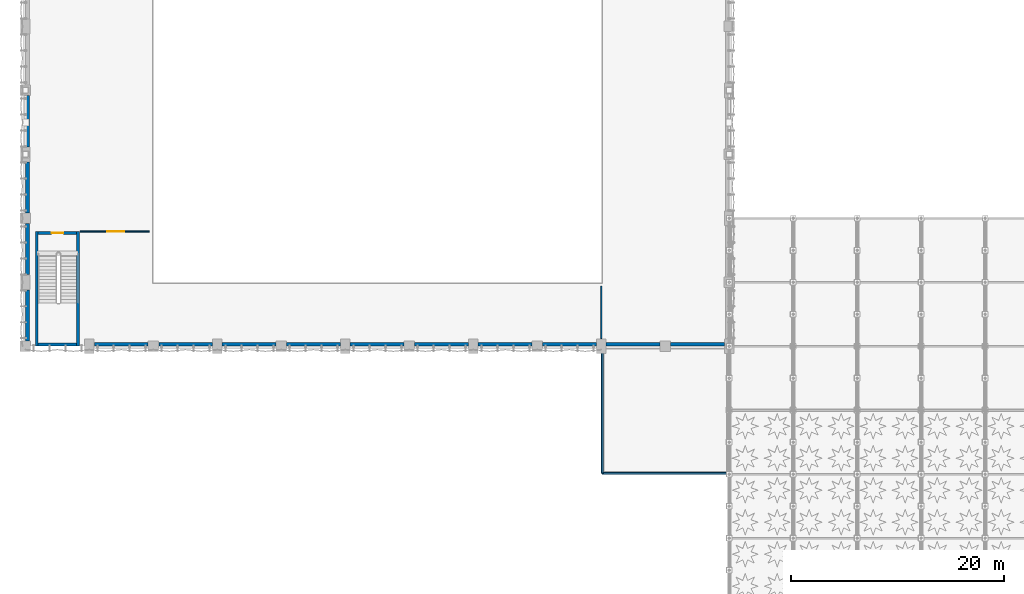
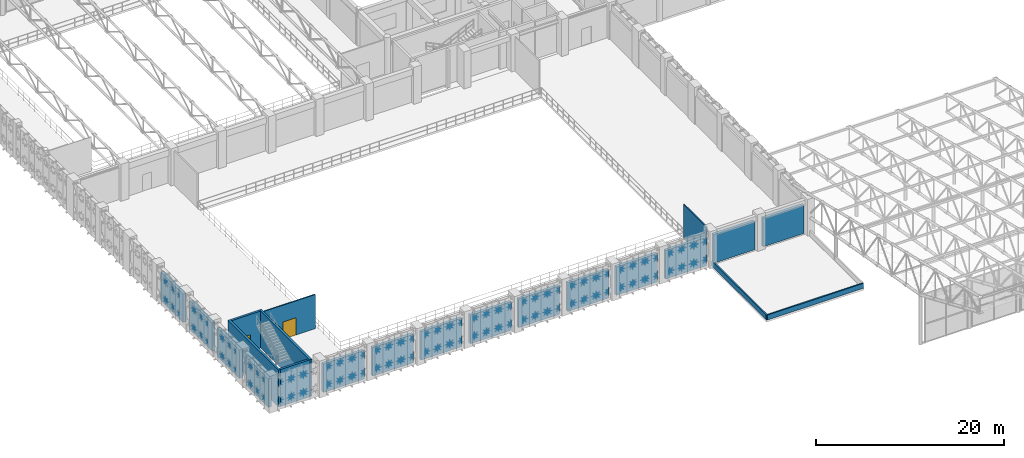
# One storey, part 95 of 123: 22 walls, 2 doors, 2 openings.
"""IFC4 building model written with IfcOpenShell, lengths in metres."""

import ifcopenshell
import ifcopenshell.guid

model = None  # the IFC model being written
_history = None  # IfcOwnerHistory: only IFC2X3 demands one
_inside = {}  # id of a spatial element -> (the spatial element, [elements in it])
_under = {}  # id of a project, library or spatial element -> (it, [spatial elements below it])
_declared = {}  # id of a project -> (the project, [libraries it declares])
_typed = {}  # id of a type object -> (the type object, [elements of that type])
_made_of = {}  # id of a material, layer set ... -> (it, [elements and type objects made of it])


def new_model(schema):
    """Start an empty IFC model of exactly this schema.

    Asked for "IFC4X3", IfcOpenShell would pick the latest addendum, in which some entities
    have other attributes; the version numbers below select the first issue.
    IFC2X3 requires an IfcOwnerHistory on every rooted entity: one is made here for all.
    """
    global model, _history
    if schema == "IFC4X3":
        model = ifcopenshell.file(schema_version=(4, 3, 0, 0))
    else:
        model = ifcopenshell.file(schema=schema)
    _inside.clear()
    _under.clear()
    _declared.clear()
    _typed.clear()
    _made_of.clear()
    _history = None
    if model.schema == "IFC2X3":
        org = make("IfcOrganization", Name="unknown")
        user = make(
            "IfcPersonAndOrganization",
            ThePerson=make("IfcPerson", FamilyName="unknown"),
            TheOrganization=org,
        )
        app = make(
            "IfcApplication",
            ApplicationDeveloper=org,
            Version="unknown",
            ApplicationFullName="unknown",
            ApplicationIdentifier="unknown",
        )
        _history = make(
            "IfcOwnerHistory",
            OwningUser=user,
            OwningApplication=app,
            ChangeAction="ADDED",
            CreationDate=0,
        )
    return model


def make(cls, **values):
    """One entity of the class cls with the attributes given. An attribute that is None is left unset."""
    return model.create_entity(
        cls, **{name: value for name, value in values.items() if value is not None}
    )


def rooted(cls, **values):
    """An entity with a GlobalId (a new one), such as an element, a storey or a relation."""
    return make(cls, GlobalId=ifcopenshell.guid.new(), OwnerHistory=_history, **values)


def si_unit(unit_type, name, prefix=None):
    """IfcSIUnit, for example si_unit("LENGTHUNIT", "METRE", prefix="MILLI")."""
    return make("IfcSIUnit", UnitType=unit_type, Prefix=prefix, Name=name)


def assignment(units):
    """IfcUnitAssignment: the units of a project."""
    return None if units is None else make("IfcUnitAssignment", Units=units)


def point(xyz):
    """IfcCartesianPoint."""
    return None if xyz is None else make("IfcCartesianPoint", Coordinates=xyz)


def direction(xyz):
    """IfcDirection."""
    return None if xyz is None else make("IfcDirection", DirectionRatios=xyz)


def frame(location, z_axis=None, x_axis=None):
    """IfcAxis2Placement3D, a coordinate frame: its origin and axes. An axis left out is left unset."""
    return make(
        "IfcAxis2Placement3D",
        Location=point(location),
        Axis=direction(z_axis),
        RefDirection=direction(x_axis),
    )


def frame_2d(location, x_axis=None):
    """IfcAxis2Placement2D, a coordinate frame in the plane: its origin and x axis."""
    return make(
        "IfcAxis2Placement2D", Location=point(location), RefDirection=direction(x_axis)
    )


def origin():
    """The frame at (0, 0, 0) with its axes left unset."""
    return frame((0.0, 0.0, 0.0))


def place(relative_to, where):
    """IfcLocalPlacement: puts the frame where relative to a parent placement (None: the world)."""
    return make(
        "IfcLocalPlacement", PlacementRelTo=relative_to, RelativePlacement=where
    )


def context(
    kind, dimensions, precision=None, world=None, true_north=None, identifier=None
):
    """IfcGeometricRepresentationContext, for example the 3D "Model" context."""
    return make(
        "IfcGeometricRepresentationContext",
        ContextIdentifier=identifier,
        ContextType=kind,
        CoordinateSpaceDimension=dimensions,
        Precision=precision,
        WorldCoordinateSystem=world,
        TrueNorth=true_north,
    )


def subcontext(parent, identifier, kind, view, scale=None):
    """IfcGeometricRepresentationSubContext, for example "Body" below "Model"."""
    return make(
        "IfcGeometricRepresentationSubContext",
        ContextIdentifier=identifier,
        ContextType=kind,
        ParentContext=parent,
        TargetScale=scale,
        TargetView=view,
    )


def project(units=None, contexts=None):
    """IfcProject with its units and contexts."""
    return rooted(
        "IfcProject",
        Name="project",
        RepresentationContexts=contexts,
        UnitsInContext=assignment(units),
    )


def spatial(cls, under=None, at=None, **own):
    """A site, building, storey or space (cls), placed at a placement, below another one or the project."""
    s = rooted(cls, ObjectPlacement=at, **own)
    if under is not None:
        _under.setdefault(under.id(), (under, []))[1].append(s)
    return s


def profile(cls, at=None, kind="AREA", **sizes):
    """A parametric profile (cls). Its sizes go by their IFC names, for example OverallWidth=200.0."""
    return make(cls, ProfileType=kind, Position=at, **sizes)


def rectangle(**sizes):
    """IfcRectangleProfileDef."""
    return profile("IfcRectangleProfileDef", **sizes)


def extrude(swept, where, along, depth):
    """IfcExtrudedAreaSolid: the profile swept, set in the frame where, extruded along a direction by depth."""
    return make(
        "IfcExtrudedAreaSolid",
        SweptArea=swept,
        Position=where,
        ExtrudedDirection=direction(along),
        Depth=depth,
    )


def shape(context_of_items, identifier, shape_type, items):
    """IfcShapeRepresentation: the items that make up one representation, for example the "Body"."""
    return make(
        "IfcShapeRepresentation",
        ContextOfItems=context_of_items,
        RepresentationIdentifier=identifier,
        RepresentationType=shape_type,
        Items=items,
    )


def material(Name=None, Category=None):
    """IfcMaterial."""
    return make("IfcMaterial", Name=Name, Category=Category)


def layer(
    of_material, thickness, ventilated=None, Name=None, Category=None, Priority=None
):
    """IfcMaterialLayer: one layer of a wall or slab, of a material (None: an air gap)."""
    return make(
        "IfcMaterialLayer",
        Material=of_material,
        LayerThickness=thickness,
        IsVentilated=ventilated,
        Name=Name,
        Category=Category,
        Priority=Priority,
    )


def layer_set(layers, Name=None):
    """IfcMaterialLayerSet."""
    return make("IfcMaterialLayerSet", MaterialLayers=layers, LayerSetName=Name)


def made_of(thing, what):
    """Note that an element or type object is made of a material, layer set ...; save() writes the relation."""
    if what is not None:
        _made_of.setdefault(what.id(), (what, []))[1].append(thing)
    return thing


def type_object(cls, material=None, **own):
    """A type object (cls), such as IfcWallType, which elements share."""
    return made_of(rooted(cls, **own), material)


def element(
    cls,
    number,
    at=None,
    inside=None,
    cuts=None,
    type_object=None,
    material=None,
    context=None,
    identifier="Body",
    shape_type=None,
    held_by="IfcProductDefinitionShape",
    body=None,
    shapes=None,
    **own,
):
    """One element of the class cls, such as IfcWall. Its Tag is "e" and its number.

    at: its placement. inside: the storey or other place that contains it. cuts: it is an
    opening in that element (IfcRelVoidsElement). A single representation is given by context,
    identifier, shape_type and body (its items); several are given by shapes. held_by: the class
    of the entity that holds the representations. save() writes the other relations.
    """
    e = rooted(cls, Tag="e%d" % number, ObjectPlacement=at, **own)
    if body is not None:
        shapes = [shape(context, identifier, shape_type, body)]
    if shapes is not None:
        e.Representation = make(held_by, Representations=shapes)
    if inside is not None:
        _inside.setdefault(inside.id(), (inside, []))[1].append(e)
    if cuts is not None:
        rooted(
            "IfcRelVoidsElement", RelatingBuildingElement=cuts, RelatedOpeningElement=e
        )
    if type_object is not None:
        _typed.setdefault(type_object.id(), (type_object, []))[1].append(e)
    return made_of(e, material)


def fill(opening, filler):
    """IfcRelFillsElement: the door or window that sits in an opening."""
    return rooted(
        "IfcRelFillsElement",
        RelatingOpeningElement=opening,
        RelatedBuildingElement=filler,
    )


def aggregate(whole, parts):
    """IfcRelAggregates: a whole, such as a stair, and the parts it consists of."""
    return rooted("IfcRelAggregates", RelatingObject=whole, RelatedObjects=parts)


def save(model, path):
    """Write the relations noted so far, then the file.

    IfcRelAggregates (storeys below a building ...), IfcRelContainedInSpatialStructure (elements
    in a storey), IfcRelDefinesByType, IfcRelAssociatesMaterial and IfcRelDeclares: one each for
    every whole, place, type object, material and project.
    """
    for whole, parts in _under.values():
        aggregate(whole, parts)
    for where, things in _inside.values():
        rooted(
            "IfcRelContainedInSpatialStructure",
            RelatedElements=things,
            RelatingStructure=where,
        )
    for kind, things in _typed.values():
        rooted("IfcRelDefinesByType", RelatedObjects=things, RelatingType=kind)
    for what, things in _made_of.values():
        rooted("IfcRelAssociatesMaterial", RelatedObjects=things, RelatingMaterial=what)
    for by, libraries in _declared.values():
        rooted("IfcRelDeclares", RelatingContext=by, RelatedDefinitions=libraries)
    model.write(path)


model = new_model("IFC4")

# Units and contexts
model_context = context("Model", 3, precision=1e-05, world=origin(), true_north=direction((0.0, 1.0)))
body_context = subcontext(model_context, "Body", "Model", "MODEL_VIEW")
ifc_project = project(units=[si_unit("LENGTHUNIT", "METRE"), si_unit("AREAUNIT", "SQUARE_METRE"), si_unit("VOLUMEUNIT", "CUBIC_METRE"), si_unit("PLANEANGLEUNIT", "RADIAN"), si_unit("MASSUNIT", "GRAM", prefix="KILO"), si_unit("THERMODYNAMICTEMPERATUREUNIT", "KELVIN"), si_unit("POWERUNIT", "WATT")], contexts=[model_context])

# Site, building, storey
site_placement = place(None, origin())
site = spatial("IfcSite", under=ifc_project, at=site_placement, CompositionType="ELEMENT")
building_placement = place(site_placement, origin())
building = spatial("IfcBuilding", under=site, at=building_placement, Name="Phaisarnlok Congress Hotel", CompositionType="ELEMENT")
storey_placement = place(building_placement, frame((0.0, 0.0, 15.0)))
storey = spatial("IfcBuildingStorey", under=building, at=storey_placement, Name="L03", CompositionType="ELEMENT", Elevation=15.0)

# Walls
ifc_material_1 = material(Name="Concrete C40/50", Category="concrete")
ifc_layer_1 = layer(ifc_material_1, 0.360107421875, Name="Concrete C40/50")
ifc_layer_set_1 = layer_set([ifc_layer_1], Name="Concrete C40/50")
wall_type_1 = type_object("IfcWallType", Name="WL-EXT-360", PredefinedType="SOLIDWALL", material=ifc_layer_set_1)
for number, where, z_axis, x_axis, name in (
    (1, (0.179931640625, 65.4951171875, 0.0), (0.0, 0.0, 1.0), (0.0, -1.0, 0.0), "Exterior wall EW-01 (L03)"),
    (2, (0.179931640625, 59.294921875, 0.0), (0.0, 0.0, 1.0), (0.0, -1.0, 0.0), "Exterior wall EW-01 (L03)"),
    (3, (0.179931640625, 53.4951171875, 0.0), (0.0, 0.0, 1.0), (0.0, -1.0, 0.0), "Exterior wall EW-01 (L03)"),
    (4, (0.179931640625, 47.294921875, 0.0), (0.0, 0.0, 1.0), (0.0, -1.0, 0.0), "Exterior wall EW-01 (L03)"),
):
    element("IfcWall", number, at=place(storey_placement, frame(where, z_axis=z_axis, x_axis=x_axis)), inside=storey, type_object=wall_type_1, Name=name, PredefinedType="SOLIDWALL", context=body_context, shape_type="SweptSolid", body=[
        extrude(rectangle(XDim=4.7900390625, YDim=0.360107421875, at=frame_2d((2.39501953125, 0.0))), origin(), (0.0, 0.0, 1.0), 3.699951171875),
    ])
for number, where, z_axis, x_axis, name in (
    (5, (6.455078125, 42.179931640625, 0.0), (0.0, 0.0, 1.0), (1.0, 0.0, 0.0), "Exterior wall EW-01 (L03)"),
    (6, (12.5048828125, 42.179931640625, 0.0), (0.0, 0.0, 1.0), (1.0, 0.0, 0.0), "Exterior wall EW-01 (L03)"),
    (7, (18.455078125, 42.179931640625, 0.0), (0.0, 0.0, 1.0), (1.0, 0.0, 0.0), "Exterior wall EW-01 (L03)"),
    (8, (24.5048828125, 42.179931640625, 0.0), (0.0, 0.0, 1.0), (1.0, 0.0, 0.0), "Exterior wall EW-01 (L03)"),
    (9, (30.455078125, 42.179931640625, 0.0), (0.0, 0.0, 1.0), (1.0, 0.0, 0.0), "Exterior wall EW-01 (L03)"),
    (10, (36.5048828125, 42.179931640625, 0.0), (0.0, 0.0, 1.0), (1.0, 0.0, 0.0), "Exterior wall EW-01 (L03)"),
    (11, (42.455078125, 42.179931640625, 0.0), (0.0, 0.0, 1.0), (1.0, 0.0, 0.0), "Exterior wall EW-01 (L03)"),
    (12, (48.5048828125, 42.179931640625, 0.0), (0.0, 0.0, 1.0), (1.0, 0.0, 0.0), "Exterior wall EW-01 (L03)"),
    (13, (54.455078125, 42.179931640625, 0.0), (0.0, 0.0, 1.0), (1.0, 0.0, 0.0), "Exterior wall EW-01 (L03)"),
    (14, (60.5048828125, 42.179931640625, 0.0), (0.0, 0.0, 1.0), (1.0, 0.0, 0.0), "Exterior wall EW-01 (L03)"),
):
    element("IfcWall", number, at=place(storey_placement, frame(where, z_axis=z_axis, x_axis=x_axis)), inside=storey, type_object=wall_type_1, Name=name, PredefinedType="SOLIDWALL", context=body_context, shape_type="SweptSolid", body=[
        extrude(rectangle(XDim=5.0400390625, YDim=0.360107421875, at=frame_2d((2.52001953125, 0.0))), origin(), (0.0, 0.0, 1.0), 3.699951171875),
    ])
ifc_material_2 = material(Name="Lightweight Metal-Stud Gypsum Partition", Category="gypsum")
ifc_layer_2 = layer(ifc_material_2, 0.1201171875, Name="Lightweight Metal-Stud Gypsum Partition")
ifc_layer_set_2 = layer_set([ifc_layer_2], Name="Lightweight Metal-Stud Gypsum Partition")
wall_type_2 = type_object("IfcWallType", Name="WL-INT-120", PredefinedType="PARTITIONING", material=ifc_layer_set_2)
wall_1_placement = place(storey_placement, frame((54.0, 42.705078125, 0.0), z_axis=(0.0, 0.0, 1.0), x_axis=(0.0, 1.0, 0.0)))
element("IfcWall", 15, at=wall_1_placement, inside=storey, type_object=wall_type_2, Name="Interior partition wall IW-07 (L03)", PredefinedType="PARTITIONING", context=body_context, shape_type="SweptSolid", body=[
    extrude(rectangle(XDim=4.9248046875, YDim=0.1201171875, at=frame_2d((2.46240234375, 0.0))), origin(), (0.0, 0.0, 1.0), 4.449951171875),
])

# Wall, opening, door
wall_2_placement = place(storey_placement, frame((5.1201171875, 52.75, 0.0), z_axis=(0.0, 0.0, 1.0), x_axis=(1.0, 0.0, 0.0)))
wall_2 = element("IfcWall", 16, at=wall_2_placement, inside=storey, type_object=wall_type_2, Name="Interior partition wall IW-07 (L03)", PredefinedType="PARTITIONING", context=body_context, shape_type="SweptSolid", body=[
    extrude(rectangle(XDim=6.509765625, YDim=0.1201171875, at=frame_2d((3.2548828125, 0.0))), origin(), (0.0, 0.0, 1.0), 4.449951171875),
])
opening_1_placement = place(wall_2_placement, frame((2.550048828125, 0.0, 0.0)))
opening_1 = element("IfcOpeningElement", 17, at=opening_1_placement, cuts=wall_2, Name="Opening D-0124", PredefinedType="OPENING", context=body_context, shape_type="SweptSolid", body=[
    extrude(rectangle(XDim=1.60009765625, YDim=2.25, at=frame_2d((0.800048828125, 1.125))), frame((0.0, 0.070068359375, 0.0), z_axis=(0.0, -1.0, 0.0), x_axis=(1.0, 0.0, 0.0)), (0.0, 0.0, 1.0), 0.14013671875),
])
ifc_material_3 = material(Name="Frameless Tempered Acoustic Glass", Category="glass")
door_type_1 = type_object("IfcDoorType", Name="DR-GLZ-1600", OperationType="DOUBLE_DOOR_SINGLE_SWING", PredefinedType="DOOR", material=ifc_material_3)
door_1_placement = place(opening_1_placement, origin())
door_1 = element("IfcDoor", 18, at=door_1_placement, inside=storey, type_object=door_type_1, Name="Interior door D-0124 (L03)", OperationType="DOUBLE_DOOR_SINGLE_SWING", OverallHeight=2.25, OverallWidth=1.60009765625, PredefinedType="DOOR", context=body_context, shape_type="SweptSolid", body=[
    extrude(rectangle(XDim=1.60009765625, YDim=2.25, at=frame_2d((0.800048828125, 1.125))), frame((0.0, 0.02490234375, 0.0), z_axis=(0.0, -1.0, 0.0), x_axis=(1.0, 0.0, 0.0)), (0.0, 0.0, 1.0), 0.050048828125),
])
fill(opening_1, door_1)

# Walls
ifc_layer_3 = layer(ifc_material_1, 0.169921875, Name="Concrete C40/50")
ifc_layer_set_3 = layer_set([ifc_layer_3], Name="Concrete C40/50")
wall_type_3 = type_object("IfcWallType", Name="WL-PAR-170", PredefinedType="PARAPET", material=ifc_layer_set_3)
wall_3_placement = place(storey_placement, frame((54.090087890625, 41.699951171875, 0.0), z_axis=(0.0, 0.0, 1.0), x_axis=(0.0, -1.0, 0.0)))
element("IfcWall", 19, at=wall_3_placement, inside=storey, type_object=wall_type_3, Name="Podium roof parapet WP-02 (L03)", PredefinedType="PARAPET", context=body_context, shape_type="SweptSolid", body=[
    extrude(rectangle(XDim=11.60986328125, YDim=0.169921875, at=frame_2d((5.804931640625, 0.0))), origin(), (0.0, 0.0, 1.0), 0.64990234375),
])
wall_4_placement = place(storey_placement, frame((54.090087890625, 30.090087890625, 0.0), z_axis=(0.0, 0.0, 1.0), x_axis=(1.0, 0.0, 0.0)))
element("IfcWall", 20, at=wall_4_placement, inside=storey, type_object=wall_type_3, Name="Podium roof parapet WP-02 (L03)", PredefinedType="PARAPET", context=body_context, shape_type="SweptSolid", body=[
    extrude(rectangle(XDim=11.81982421875, YDim=0.169921875, at=frame_2d((5.909912109375, 0.0))), origin(), (0.0, 0.0, 1.0), 0.64990234375),
])
ifc_material_4 = material(Name="Concrete C50/60", Category="concrete")
ifc_layer_4 = layer(ifc_material_4, 0.260009765625, Name="Concrete C50/60")
ifc_layer_set_4 = layer_set([ifc_layer_4], Name="Concrete C50/60")
wall_type_4 = type_object("IfcWallType", Name="WL-SHR-260", PredefinedType="SHEAR", material=ifc_layer_set_4)
for number, where, z_axis, x_axis, name in (
    (21, (1.070068359375, 42.0400390625, 0.0), (0.0, 0.0, 1.0), (0.0, 1.0, 0.0), "Stair shaft shear wall SW-04 (STAIR-W L03)"),
    (22, (4.929931640625, 42.0400390625, 0.0), (0.0, 0.0, 1.0), (0.0, 1.0, 0.0), "Stair shaft shear wall SW-04 (STAIR-W L03)"),
):
    element("IfcWall", number, at=place(storey_placement, frame(where, z_axis=z_axis, x_axis=x_axis)), inside=storey, type_object=wall_type_4, Name=name, PredefinedType="SHEAR", context=body_context, shape_type="SweptSolid", body=[
        extrude(rectangle(XDim=10.719970703125, YDim=0.260009765625, at=frame_2d((5.35986328125, 0.0))), origin(), (0.0, 0.0, 1.0), 4.800048828125),
    ])

# Wall, opening, door
wall_5_placement = place(storey_placement, frame((1.199951171875, 52.6298828125, 0.0), z_axis=(0.0, 0.0, 1.0), x_axis=(1.0, 0.0, 0.0)))
wall_5 = element("IfcWall", 23, at=wall_5_placement, inside=storey, type_object=wall_type_4, Name="Stair shaft shear wall SW-04 (STAIR-W L03)", PredefinedType="SHEAR", context=body_context, shape_type="SweptSolid", body=[
    extrude(rectangle(XDim=3.60009765625, YDim=0.260009765625, at=frame_2d((1.800048828125, 0.0))), origin(), (0.0, 0.0, 1.0), 4.800048828125),
])
opening_2_placement = place(wall_5_placement, frame((1.25, 0.0, 0.0)))
opening_2 = element("IfcOpeningElement", 24, at=opening_2_placement, cuts=wall_5, Name="Opening FD-168", PredefinedType="OPENING", context=body_context, shape_type="SweptSolid", body=[
    extrude(rectangle(XDim=1.10009765625, YDim=2.14990234375, at=frame_2d((0.550048828125, 1.074951171875))), frame((0.0, 0.14013671875, 0.0), z_axis=(0.0, -1.0, 0.0), x_axis=(1.0, 0.0, 0.0)), (0.0, 0.0, 1.0), 0.280029296875),
])
ifc_material_5 = material(Name="Fire-Rated Steel Frame & Timber Leaf", Category="steel")
door_type_2 = type_object("IfcDoorType", Name="DR-FD60-1100", OperationType="NOTDEFINED", PredefinedType="DOOR", material=ifc_material_5)
door_2_placement = place(opening_2_placement, origin())
door_2 = element("IfcDoor", 25, at=door_2_placement, inside=storey, type_object=door_type_2, Name="Stair enclosure fire door FD-168 (L03)", OperationType="SINGLE_SWING_LEFT", OverallHeight=2.14990234375, OverallWidth=1.10009765625, PredefinedType="DOOR", context=body_context, shape_type="SweptSolid", body=[
    extrude(rectangle(XDim=1.10009765625, YDim=2.14990234375, at=frame_2d((0.550048828125, 1.074951171875))), frame((0.0, 0.02490234375, 0.0), z_axis=(0.0, -1.0, 0.0), x_axis=(1.0, 0.0, 0.0)), (0.0, 0.0, 1.0), 0.050048828125),
])
fill(opening_2, door_2)

# Wall
ifc_layer_5 = layer(ifc_material_4, 0.260009765625, Name="Concrete C50/60")
ifc_layer_set_5 = layer_set([ifc_layer_5], Name="Concrete C50/60")
wall_type_5 = type_object("IfcWallType", Name="WL-SHR-260-EXT", PredefinedType="SHEAR", material=ifc_layer_set_5)
wall_6_placement = place(storey_placement, frame((1.199951171875, 42.169921875, 0.0), z_axis=(0.0, 0.0, 1.0), x_axis=(1.0, 0.0, 0.0)))
element("IfcWall", 26, at=wall_6_placement, inside=storey, type_object=wall_type_5, Name="Stair shaft shear wall SW-04E (STAIR-W L03)", PredefinedType="SHEAR", context=body_context, shape_type="SweptSolid", body=[
    extrude(rectangle(XDim=3.60009765625, YDim=0.260009765625, at=frame_2d((1.800048828125, 0.0))), origin(), (0.0, 0.0, 1.0), 4.800048828125),
])

save(model, "model.ifc")
